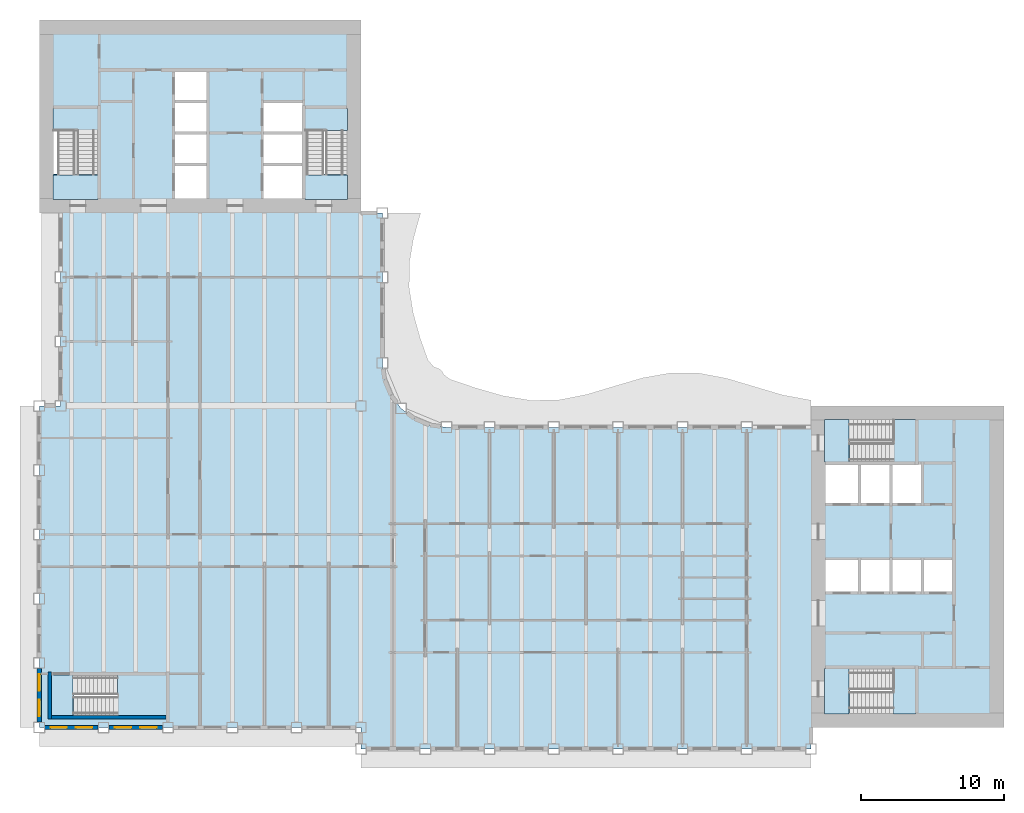
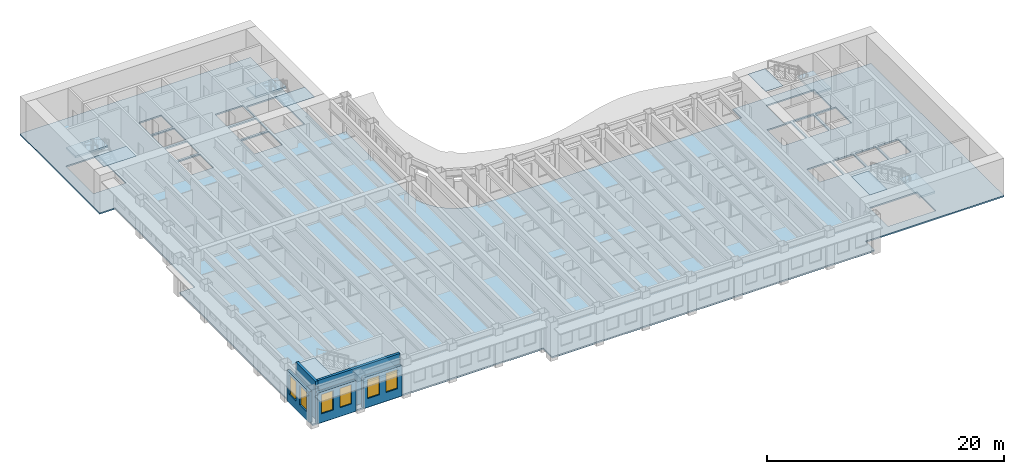
# One storey, part 2 of 16: 11 slabs, 6 windows, 5 walls, 6 openings, 5 elements without a shape of their own.
"""IFC4 building model written with IfcOpenShell, lengths in metres."""

from ifc_helpers import new_model, si_unit, direction, frame, frame_2d, origin, place, context, subcontext, project, spatial, polyline, rectangle, outline, extrude, material, layer, layer_set, type_object, element, fill, aggregate, save


model = new_model("IFC4")

# Units and contexts
model_context = context("Model", 3, precision=1e-05, world=origin(), true_north=direction((0.0, 1.0)))
body_context = subcontext(model_context, "Body", "Model", "MODEL_VIEW")
ifc_project = project(units=[si_unit("LENGTHUNIT", "METRE"), si_unit("AREAUNIT", "SQUARE_METRE"), si_unit("VOLUMEUNIT", "CUBIC_METRE"), si_unit("PLANEANGLEUNIT", "RADIAN"), si_unit("MASSUNIT", "GRAM", prefix="KILO")], contexts=[model_context])

# Site, building, storey
site_placement = place(None, origin())
site = spatial("IfcSite", under=ifc_project, at=site_placement, CompositionType="ELEMENT")
building_placement = place(site_placement, origin())
building = spatial("IfcBuilding", under=site, at=building_placement, Name="Sennacour Bend Tower", CompositionType="ELEMENT")
storey_placement = place(building_placement, frame((0.0, 0.0, 235.0)))
storey = spatial("IfcBuildingStorey", under=building, at=storey_placement, Name="L54", CompositionType="ELEMENT", Elevation=235.0)

# Slabs
ifc_material_1 = material(Name="Concrete C30/37", Category="concrete")
ifc_layer_1 = layer(ifc_material_1, 0.14990234375, Name="Concrete C30/37", Category="concrete")
ifc_layer_set_1 = layer_set([ifc_layer_1], Name="Concrete C30/37")
slab_type_1 = type_object("IfcSlabType", Name="Floor slab 150", PredefinedType="FLOOR", material=ifc_layer_set_1)
slab_1_placement = place(storey_placement, frame((0.0, 0.0, -0.14990234375)))
element("IfcSlab", 1, at=slab_1_placement, inside=storey, type_object=slab_type_1, Name="Floor slab L54-01", PredefinedType="FLOOR", context=body_context, shape_type="SweptSolid", body=[
    extrude(outline(polyline([(22.5, 0.0), (0.0, 0.0), (0.0, 22.5), (1.5, 22.5), (1.5, 36.0), (0.0, 36.0), (0.0, 49.5), (22.5, 49.5), (22.5, 36.0), (24.0, 36.0), (24.0, 25.5), (24.1533203125, 24.335205078125), (24.602783203125, 23.25), (25.318115234375, 22.318115234375), (26.25, 21.602783203125), (27.335205078125, 21.1533203125), (28.5, 21.0), (54.0, 21.0), (54.0, 22.5), (67.5, 22.5), (67.5, 0.0), (54.0, 0.0), (54.0, -1.5), (22.5, -1.5), (22.5, 0.0)]), holes=[polyline([(8.800048828125, 0.949951171875), (8.800048828125, 3.5), (2.429931640625, 3.5), (2.429931640625, 0.949951171875), (8.800048828125, 0.949951171875)]), polyline([(11.699951171875, 37.0), (11.699951171875, 39.300048828125), (9.5, 39.300048828125), (9.5, 37.0), (11.699951171875, 37.0)]), polyline([(18.39990234375, 37.0), (18.39990234375, 39.300048828125), (15.699951171875, 39.300048828125), (15.699951171875, 37.0), (18.39990234375, 37.0)]), polyline([(11.699951171875, 39.5), (11.699951171875, 41.5), (9.5, 41.5), (9.5, 39.5), (11.699951171875, 39.5)]), polyline([(18.39990234375, 39.5), (18.39990234375, 41.5), (15.699951171875, 41.5), (15.699951171875, 39.5), (18.39990234375, 39.5)]), polyline([(4.125, 38.72998046875), (4.125, 43.39990234375), (0.949951171875, 43.39990234375), (0.949951171875, 38.72998046875), (4.125, 38.72998046875)]), polyline([(21.550048828125, 38.72998046875), (21.550048828125, 43.39990234375), (18.574951171875, 43.39990234375), (18.574951171875, 38.72998046875), (21.550048828125, 38.72998046875)]), polyline([(9.5, 41.699951171875), (11.699951171875, 41.699951171875), (11.699951171875, 43.699951171875), (9.5, 43.699951171875), (9.5, 41.699951171875)]), polyline([(15.699951171875, 41.699951171875), (18.39990234375, 41.699951171875), (18.39990234375, 43.699951171875), (15.699951171875, 43.699951171875), (15.699951171875, 41.699951171875)]), polyline([(11.699951171875, 43.89990234375), (11.699951171875, 45.89990234375), (9.5, 45.89990234375), (9.5, 43.89990234375), (11.699951171875, 43.89990234375)]), polyline([(61.39990234375, 0.949951171875), (61.39990234375, 4.125), (56.72998046875, 4.125), (56.72998046875, 0.949951171875), (61.39990234375, 0.949951171875)]), polyline([(57.300048828125, 9.5), (57.300048828125, 11.699951171875), (55.0, 11.699951171875), (55.0, 9.5), (57.300048828125, 9.5)]), polyline([(57.5, 9.5), (59.5, 9.5), (59.5, 11.699951171875), (57.5, 11.699951171875), (57.5, 9.5)]), polyline([(59.699951171875, 9.5), (61.699951171875, 9.5), (61.699951171875, 11.699951171875), (59.699951171875, 11.699951171875), (59.699951171875, 9.5)]), polyline([(63.89990234375, 9.5), (63.89990234375, 11.699951171875), (61.89990234375, 11.699951171875), (61.89990234375, 9.5), (63.89990234375, 9.5)]), polyline([(57.300048828125, 15.699951171875), (57.300048828125, 18.39990234375), (55.0, 18.39990234375), (55.0, 15.699951171875), (57.300048828125, 15.699951171875)]), polyline([(59.5, 15.699951171875), (59.5, 18.39990234375), (57.5, 18.39990234375), (57.5, 15.699951171875), (59.5, 15.699951171875)]), polyline([(59.699951171875, 15.699951171875), (61.699951171875, 15.699951171875), (61.699951171875, 18.39990234375), (59.699951171875, 18.39990234375), (59.699951171875, 15.699951171875)]), polyline([(56.72998046875, 18.574951171875), (61.39990234375, 18.574951171875), (61.39990234375, 21.550048828125), (56.72998046875, 21.550048828125), (56.72998046875, 18.574951171875)])]), origin(), (0.0, 0.0, 1.0), 0.14990234375),
])
ifc_material_2 = material(Name="Concrete C40/50", Category="concrete")
ifc_layer_2 = layer(ifc_material_2, 0.034912109375, Name="Concrete C40/50", Category="concrete")
ifc_layer_set_2 = layer_set([ifc_layer_2], Name="Concrete C40/50")
slab_type_2 = type_object("IfcSlabType", Name="Stair arrival nib 35", PredefinedType="FLOOR", material=ifc_layer_set_2)
slab_2_placement = place(storey_placement, frame((0.0, 0.0, 3.815185546875)))
element("IfcSlab", 2, at=slab_2_placement, inside=storey, type_object=slab_type_2, Name="L54 SA1 stair arrival nib", PredefinedType="FLOOR", context=body_context, shape_type="SweptSolid", body=[
    extrude(outline(polyline([(56.64208984375, 4.125), (54.949951171875, 4.125), (54.949951171875, 0.949951171875), (56.64208984375, 0.949951171875), (56.64208984375, 4.125)])), origin(), (0.0, 0.0, 1.0), 0.034912109375),
])
slab_3_placement = place(storey_placement, frame((0.0, 0.0, 3.815185546875)))
element("IfcSlab", 3, at=slab_3_placement, inside=storey, type_object=slab_type_2, Name="L54 SA2 stair arrival nib", PredefinedType="FLOOR", context=body_context, shape_type="SweptSolid", body=[
    extrude(outline(polyline([(56.64208984375, 21.550048828125), (54.949951171875, 21.550048828125), (54.949951171875, 18.574951171875), (56.64208984375, 18.574951171875), (56.64208984375, 21.550048828125)])), origin(), (0.0, 0.0, 1.0), 0.034912109375),
])
slab_4_placement = place(storey_placement, frame((0.0, 0.0, 3.815185546875)))
element("IfcSlab", 4, at=slab_4_placement, inside=storey, type_object=slab_type_2, Name="L54 SB1 stair arrival nib", PredefinedType="FLOOR", context=body_context, shape_type="SweptSolid", body=[
    extrude(outline(polyline([(0.949951171875, 38.64208984375), (0.949951171875, 36.949951171875), (4.125, 36.949951171875), (4.125, 38.64208984375), (0.949951171875, 38.64208984375)])), origin(), (0.0, 0.0, 1.0), 0.034912109375),
])
slab_5_placement = place(storey_placement, frame((0.0, 0.0, 3.815185546875)))
element("IfcSlab", 5, at=slab_5_placement, inside=storey, type_object=slab_type_2, Name="L54 SB2 stair arrival nib", PredefinedType="FLOOR", context=body_context, shape_type="SweptSolid", body=[
    extrude(outline(polyline([(18.574951171875, 38.64208984375), (18.574951171875, 36.949951171875), (21.550048828125, 36.949951171875), (21.550048828125, 38.64208984375), (18.574951171875, 38.64208984375)])), origin(), (0.0, 0.0, 1.0), 0.034912109375),
])
slab_6_placement = place(storey_placement, frame((0.0, 0.0, 3.815185546875)))
element("IfcSlab", 6, at=slab_6_placement, inside=storey, type_object=slab_type_2, Name="L54 SK1 stair arrival nib", PredefinedType="FLOOR", context=body_context, shape_type="SweptSolid", body=[
    extrude(outline(polyline([(2.342041015625, 3.675048828125), (0.800048828125, 3.675048828125), (0.800048828125, 0.800048828125), (2.342041015625, 0.800048828125), (2.342041015625, 3.675048828125)])), origin(), (0.0, 0.0, 1.0), 0.034912109375),
])

# Stair, slab
stair_type = type_object("IfcStairType", Name="ST-DOGLEG", PredefinedType="HALF_TURN_STAIR", material=ifc_material_2)
stair_1_placement = place(storey_placement, origin())
stair_1 = element("IfcStair", 7, at=stair_1_placement, inside=storey, type_object=stair_type, Name="L54 Exit stair A1", PredefinedType="HALF_TURN_STAIR")
ifc_layer_3 = layer(ifc_material_2, 0.199951171875, Name="Concrete C40/50", Category="concrete")
ifc_layer_set_3 = layer_set([ifc_layer_3], Name="Concrete C40/50")
slab_type_3 = type_object("IfcSlabType", Name="Stair landing 200", PredefinedType="LANDING", material=ifc_layer_set_3)
slab_7_placement = place(storey_placement, frame((0.0, 0.0, 1.800048828125)))
slab_7 = element("IfcSlab", 8, at=slab_7_placement, type_object=slab_type_3, Name="SA1 landing 1", PredefinedType="LANDING", context=body_context, shape_type="SweptSolid", body=[
    extrude(outline(polyline([(59.780029296875, 0.949951171875), (61.324951171875, 0.949951171875), (61.324951171875, 4.125), (59.780029296875, 4.125), (59.780029296875, 0.949951171875)])), origin(), (0.0, 0.0, 1.0), 0.199951171875),
])
aggregate(stair_1, [slab_7])

stair_2_placement = place(storey_placement, origin())
stair_2 = element("IfcStair", 9, at=stair_2_placement, inside=storey, type_object=stair_type, Name="L54 Exit stair A2", PredefinedType="HALF_TURN_STAIR")
slab_8_placement = place(storey_placement, frame((0.0, 0.0, 1.800048828125)))
slab_8 = element("IfcSlab", 10, at=slab_8_placement, type_object=slab_type_3, Name="SA2 landing 1", PredefinedType="LANDING", context=body_context, shape_type="SweptSolid", body=[
    extrude(outline(polyline([(59.780029296875, 18.574951171875), (61.324951171875, 18.574951171875), (61.324951171875, 21.550048828125), (59.780029296875, 21.550048828125), (59.780029296875, 18.574951171875)])), origin(), (0.0, 0.0, 1.0), 0.199951171875),
])
aggregate(stair_2, [slab_8])

stair_3_placement = place(storey_placement, origin())
stair_3 = element("IfcStair", 11, at=stair_3_placement, inside=storey, type_object=stair_type, Name="L54 Exit stair B1", PredefinedType="HALF_TURN_STAIR")
slab_9_placement = place(storey_placement, frame((0.0, 0.0, 1.800048828125)))
slab_9 = element("IfcSlab", 12, at=slab_9_placement, type_object=slab_type_3, Name="SB1 landing 1", PredefinedType="LANDING", context=body_context, shape_type="SweptSolid", body=[
    extrude(outline(polyline([(0.949951171875, 41.780029296875), (4.125, 41.780029296875), (4.125, 43.324951171875), (0.949951171875, 43.324951171875), (0.949951171875, 41.780029296875)])), origin(), (0.0, 0.0, 1.0), 0.199951171875),
])
aggregate(stair_3, [slab_9])

stair_4_placement = place(storey_placement, origin())
stair_4 = element("IfcStair", 13, at=stair_4_placement, inside=storey, type_object=stair_type, Name="L54 Exit stair B2", PredefinedType="HALF_TURN_STAIR")
slab_10_placement = place(storey_placement, frame((0.0, 0.0, 1.800048828125)))
slab_10 = element("IfcSlab", 14, at=slab_10_placement, type_object=slab_type_3, Name="SB2 landing 1", PredefinedType="LANDING", context=body_context, shape_type="SweptSolid", body=[
    extrude(outline(polyline([(18.574951171875, 41.780029296875), (21.550048828125, 41.780029296875), (21.550048828125, 43.324951171875), (18.574951171875, 43.324951171875), (18.574951171875, 41.780029296875)])), origin(), (0.0, 0.0, 1.0), 0.199951171875),
])
aggregate(stair_4, [slab_10])

stair_5_placement = place(storey_placement, origin())
stair_5 = element("IfcStair", 15, at=stair_5_placement, inside=storey, type_object=stair_type, Name="L54 Exit stair K1", PredefinedType="HALF_TURN_STAIR")
slab_11_placement = place(storey_placement, frame((0.0, 0.0, 1.800048828125)))
slab_11 = element("IfcSlab", 16, at=slab_11_placement, type_object=slab_type_3, Name="SK1 landing 1", PredefinedType="LANDING", context=body_context, shape_type="SweptSolid", body=[
    extrude(outline(polyline([(5.47998046875, 0.800048828125), (8.925048828125, 0.800048828125), (8.925048828125, 3.675048828125), (5.47998046875, 3.675048828125), (5.47998046875, 0.800048828125)])), origin(), (0.0, 0.0, 1.0), 0.199951171875),
])
aggregate(stair_5, [slab_11])

# Wall, openings, windows
ifc_material_3 = material(Name="Warm limestone cladding", Category="masonry")
ifc_layer_4 = layer(ifc_material_3, 0.050048828125, Name="Warm limestone cladding", Category="masonry")
ifc_material_4 = material(Name="Precast concrete C40/50", Category="concrete")
ifc_layer_5 = layer(ifc_material_4, 0.25, Name="Precast concrete C40/50", Category="concrete")
ifc_layer_set_4 = layer_set([ifc_layer_4, ifc_layer_5], Name="Precast concrete C40/50 with limestone cladding")
wall_type_1 = type_object("IfcWallType", Name="STONE-CLAD PRECAST SPANDREL 300", PredefinedType="STANDARD", material=ifc_layer_set_4)
wall_1_placement = place(storey_placement, frame((0.0, 4.125, 0.0), z_axis=(0.0, 0.0, 1.0), x_axis=(0.0, -1.0, 0.0)))
wall_1 = element("IfcWall", 17, at=wall_1_placement, inside=storey, type_object=wall_type_1, Name="Stone spandrel and pier wall L54 21.04", PredefinedType="STANDARD", context=body_context, shape_type="SweptSolid", body=[
    extrude(rectangle(XDim=3.75, YDim=0.300048828125, at=frame_2d((1.875, 0.0))), origin(), (0.0, 0.0, 1.0), 3.156982421875),
])
opening_1_placement = place(wall_1_placement, frame((0.41259765625, 0.0, 0.89990234375)))
opening_1 = element("IfcOpeningElement", 18, at=opening_1_placement, cuts=wall_1, Name="Opening W24", PredefinedType="OPENING", context=body_context, shape_type="SweptSolid", body=[
    extrude(rectangle(XDim=1.14990234375, YDim=2.0, at=frame_2d((0.574951171875, 1.0))), frame((0.0, 0.16015625, 0.0), z_axis=(0.0, -1.0, 0.0), x_axis=(1.0, 0.0, 0.0)), (0.0, 0.0, 1.0), 0.320068359375),
])
opening_2_placement = place(wall_1_placement, frame((2.1875, 0.0, 0.89990234375)))
opening_2 = element("IfcOpeningElement", 19, at=opening_2_placement, cuts=wall_1, Name="Opening W24", PredefinedType="OPENING", context=body_context, shape_type="SweptSolid", body=[
    extrude(rectangle(XDim=1.14990234375, YDim=2.0, at=frame_2d((0.574951171875, 1.0))), frame((0.0, 0.16015625, 0.0), z_axis=(0.0, -1.0, 0.0), x_axis=(1.0, 0.0, 0.0)), (0.0, 0.0, 1.0), 0.320068359375),
])
ifc_material_5 = material(Name="Clear low-emissivity glass", Category="glass")
window_type = type_object("IfcWindowType", Name="WIN-RIBBON-1150x2000", PartitioningType="SINGLE_PANEL", PredefinedType="WINDOW", material=ifc_material_5)
window_1_placement = place(opening_1_placement, origin())
window_1 = element("IfcWindow", 20, at=window_1_placement, inside=storey, type_object=window_type, Name="Ribbon window L54 21.04.0", OverallHeight=2.0, OverallWidth=1.14990234375, PartitioningType="SINGLE_PANEL", PredefinedType="WINDOW", context=body_context, shape_type="SweptSolid", body=[
    extrude(rectangle(XDim=1.14990234375, YDim=2.0, at=frame_2d((0.574951171875, 1.0))), frame((0.0, 0.030029296875, 0.0), z_axis=(0.0, -1.0, 0.0), x_axis=(1.0, 0.0, 0.0)), (0.0, 0.0, 1.0), 0.06005859375),
])
fill(opening_1, window_1)
window_2_placement = place(opening_2_placement, origin())
window_2 = element("IfcWindow", 21, at=window_2_placement, inside=storey, type_object=window_type, Name="Ribbon window L54 21.04.1", OverallHeight=2.0, OverallWidth=1.14990234375, PartitioningType="SINGLE_PANEL", PredefinedType="WINDOW", context=body_context, shape_type="SweptSolid", body=[
    extrude(rectangle(XDim=1.14990234375, YDim=2.0, at=frame_2d((0.574951171875, 1.0))), frame((0.0, 0.030029296875, 0.0), z_axis=(0.0, -1.0, 0.0), x_axis=(1.0, 0.0, 0.0)), (0.0, 0.0, 1.0), 0.06005859375),
])
fill(opening_2, window_2)

wall_2_placement = place(storey_placement, frame((0.375, 0.0, 0.0), z_axis=(0.0, 0.0, 1.0), x_axis=(1.0, 0.0, 0.0)))
wall_2 = element("IfcWall", 22, at=wall_2_placement, inside=storey, type_object=wall_type_1, Name="Stone spandrel and pier wall L54 22.00", PredefinedType="STANDARD", context=body_context, shape_type="SweptSolid", body=[
    extrude(rectangle(XDim=3.75, YDim=0.300048828125, at=frame_2d((1.875, 0.0))), origin(), (0.0, 0.0, 1.0), 3.156982421875),
])
opening_3_placement = place(wall_2_placement, frame((0.41259765625, 0.0, 0.89990234375)))
opening_3 = element("IfcOpeningElement", 23, at=opening_3_placement, cuts=wall_2, Name="Opening W24", PredefinedType="OPENING", context=body_context, shape_type="SweptSolid", body=[
    extrude(rectangle(XDim=1.14990234375, YDim=2.0, at=frame_2d((0.574951171875, 1.0))), frame((0.0, 0.16015625, 0.0), z_axis=(0.0, -1.0, 0.0), x_axis=(1.0, 0.0, 0.0)), (0.0, 0.0, 1.0), 0.320068359375),
])
opening_4_placement = place(wall_2_placement, frame((2.1875, 0.0, 0.89990234375)))
opening_4 = element("IfcOpeningElement", 24, at=opening_4_placement, cuts=wall_2, Name="Opening W24", PredefinedType="OPENING", context=body_context, shape_type="SweptSolid", body=[
    extrude(rectangle(XDim=1.14990234375, YDim=2.0, at=frame_2d((0.574951171875, 1.0))), frame((0.0, 0.16015625, 0.0), z_axis=(0.0, -1.0, 0.0), x_axis=(1.0, 0.0, 0.0)), (0.0, 0.0, 1.0), 0.320068359375),
])
window_3_placement = place(opening_3_placement, origin())
window_3 = element("IfcWindow", 25, at=window_3_placement, inside=storey, type_object=window_type, Name="Ribbon window L54 22.00.0", OverallHeight=2.0, OverallWidth=1.14990234375, PartitioningType="SINGLE_PANEL", PredefinedType="WINDOW", context=body_context, shape_type="SweptSolid", body=[
    extrude(rectangle(XDim=1.14990234375, YDim=2.0, at=frame_2d((0.574951171875, 1.0))), frame((0.0, 0.030029296875, 0.0), z_axis=(0.0, -1.0, 0.0), x_axis=(1.0, 0.0, 0.0)), (0.0, 0.0, 1.0), 0.06005859375),
])
fill(opening_3, window_3)
window_4_placement = place(opening_4_placement, origin())
window_4 = element("IfcWindow", 26, at=window_4_placement, inside=storey, type_object=window_type, Name="Ribbon window L54 22.00.1", OverallHeight=2.0, OverallWidth=1.14990234375, PartitioningType="SINGLE_PANEL", PredefinedType="WINDOW", context=body_context, shape_type="SweptSolid", body=[
    extrude(rectangle(XDim=1.14990234375, YDim=2.0, at=frame_2d((0.574951171875, 1.0))), frame((0.0, 0.030029296875, 0.0), z_axis=(0.0, -1.0, 0.0), x_axis=(1.0, 0.0, 0.0)), (0.0, 0.0, 1.0), 0.06005859375),
])
fill(opening_4, window_4)

wall_3_placement = place(storey_placement, frame((4.875, 0.0, 0.0), z_axis=(0.0, 0.0, 1.0), x_axis=(1.0, 0.0, 0.0)))
wall_3 = element("IfcWall", 27, at=wall_3_placement, inside=storey, type_object=wall_type_1, Name="Stone spandrel and pier wall L54 22.01", PredefinedType="STANDARD", context=body_context, shape_type="SweptSolid", body=[
    extrude(rectangle(XDim=3.75, YDim=0.300048828125, at=frame_2d((1.875, 0.0))), origin(), (0.0, 0.0, 1.0), 3.156982421875),
])
opening_5_placement = place(wall_3_placement, frame((0.41259765625, 0.0, 0.89990234375)))
opening_5 = element("IfcOpeningElement", 28, at=opening_5_placement, cuts=wall_3, Name="Opening W24", PredefinedType="OPENING", context=body_context, shape_type="SweptSolid", body=[
    extrude(rectangle(XDim=1.14990234375, YDim=2.0, at=frame_2d((0.574951171875, 1.0))), frame((0.0, 0.16015625, 0.0), z_axis=(0.0, -1.0, 0.0), x_axis=(1.0, 0.0, 0.0)), (0.0, 0.0, 1.0), 0.320068359375),
])
opening_6_placement = place(wall_3_placement, frame((2.1875, 0.0, 0.89990234375)))
opening_6 = element("IfcOpeningElement", 29, at=opening_6_placement, cuts=wall_3, Name="Opening W24", PredefinedType="OPENING", context=body_context, shape_type="SweptSolid", body=[
    extrude(rectangle(XDim=1.14990234375, YDim=2.0, at=frame_2d((0.574951171875, 1.0))), frame((0.0, 0.16015625, 0.0), z_axis=(0.0, -1.0, 0.0), x_axis=(1.0, 0.0, 0.0)), (0.0, 0.0, 1.0), 0.320068359375),
])
window_5_placement = place(opening_5_placement, origin())
window_5 = element("IfcWindow", 30, at=window_5_placement, inside=storey, type_object=window_type, Name="Ribbon window L54 22.01.0", OverallHeight=2.0, OverallWidth=1.14990234375, PartitioningType="SINGLE_PANEL", PredefinedType="WINDOW", context=body_context, shape_type="SweptSolid", body=[
    extrude(rectangle(XDim=1.14990234375, YDim=2.0, at=frame_2d((0.574951171875, 1.0))), frame((0.0, 0.030029296875, 0.0), z_axis=(0.0, -1.0, 0.0), x_axis=(1.0, 0.0, 0.0)), (0.0, 0.0, 1.0), 0.06005859375),
])
fill(opening_5, window_5)
window_6_placement = place(opening_6_placement, origin())
window_6 = element("IfcWindow", 31, at=window_6_placement, inside=storey, type_object=window_type, Name="Ribbon window L54 22.01.1", OverallHeight=2.0, OverallWidth=1.14990234375, PartitioningType="SINGLE_PANEL", PredefinedType="WINDOW", context=body_context, shape_type="SweptSolid", body=[
    extrude(rectangle(XDim=1.14990234375, YDim=2.0, at=frame_2d((0.574951171875, 1.0))), frame((0.0, 0.030029296875, 0.0), z_axis=(0.0, -1.0, 0.0), x_axis=(1.0, 0.0, 0.0)), (0.0, 0.0, 1.0), 0.06005859375),
])
fill(opening_6, window_6)

# Walls
ifc_material_6 = material(Name="Concrete C60/75", Category="concrete")
ifc_layer_6 = layer(ifc_material_6, 0.25, Name="Concrete C60/75", Category="concrete")
ifc_layer_set_5 = layer_set([ifc_layer_6], Name="Concrete C60/75")
wall_type_2 = type_object("IfcWallType", Name="Stair wall 250", PredefinedType="SHEAR", material=ifc_layer_set_5)
wall_4_placement = place(storey_placement, frame((0.72509765625, 0.60009765625, 0.0), z_axis=(0.0, 0.0, 1.0), x_axis=(0.0, 1.0, 0.0)))
element("IfcWall", 32, at=wall_4_placement, inside=storey, type_object=wall_type_2, Name="P-L54-W002", PredefinedType="SHEAR", context=body_context, shape_type="SweptSolid", body=[
    extrude(rectangle(XDim=3.27490234375, YDim=0.25, at=frame_2d((1.637451171875, 0.0))), origin(), (0.0, 0.0, 1.0), 3.85009765625),
])
wall_5_placement = place(storey_placement, frame((0.85009765625, 0.72509765625, 0.0), z_axis=(0.0, 0.0, 1.0), x_axis=(1.0, 0.0, 0.0)))
element("IfcWall", 33, at=wall_5_placement, inside=storey, type_object=wall_type_2, Name="P-L54-W050", PredefinedType="SHEAR", context=body_context, shape_type="SweptSolid", body=[
    extrude(rectangle(XDim=8.02490234375, YDim=0.25, at=frame_2d((4.012451171875, 0.0))), origin(), (0.0, 0.0, 1.0), 3.85009765625),
])

save(model, "model.ifc")
